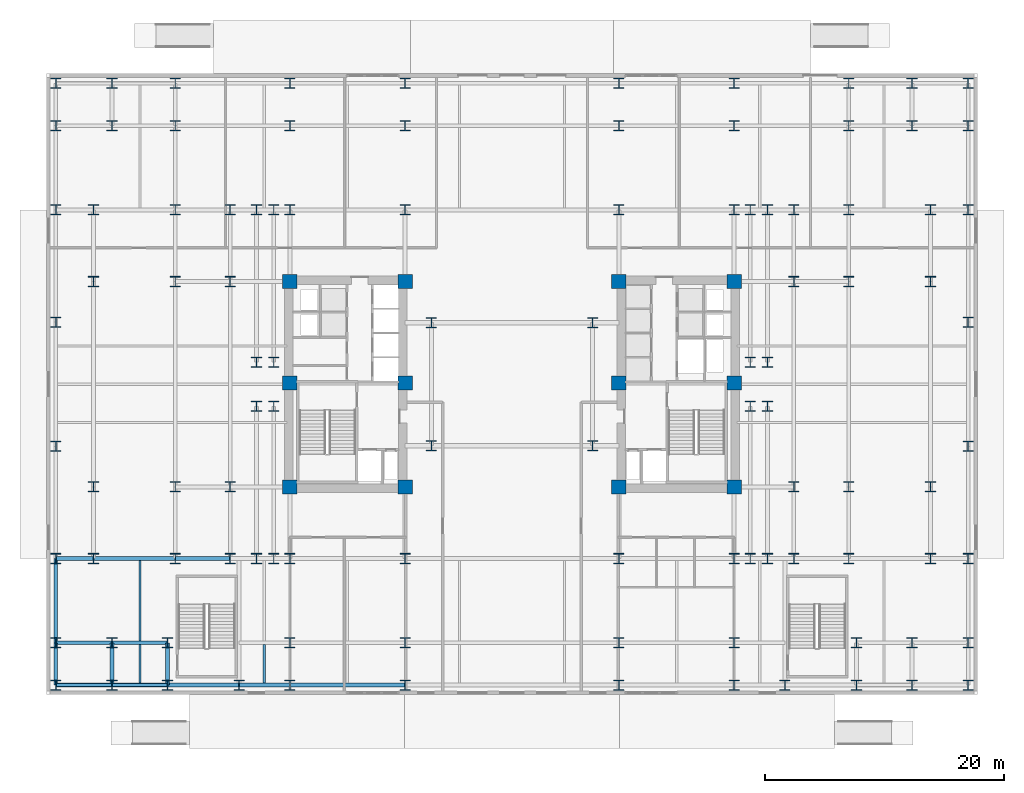
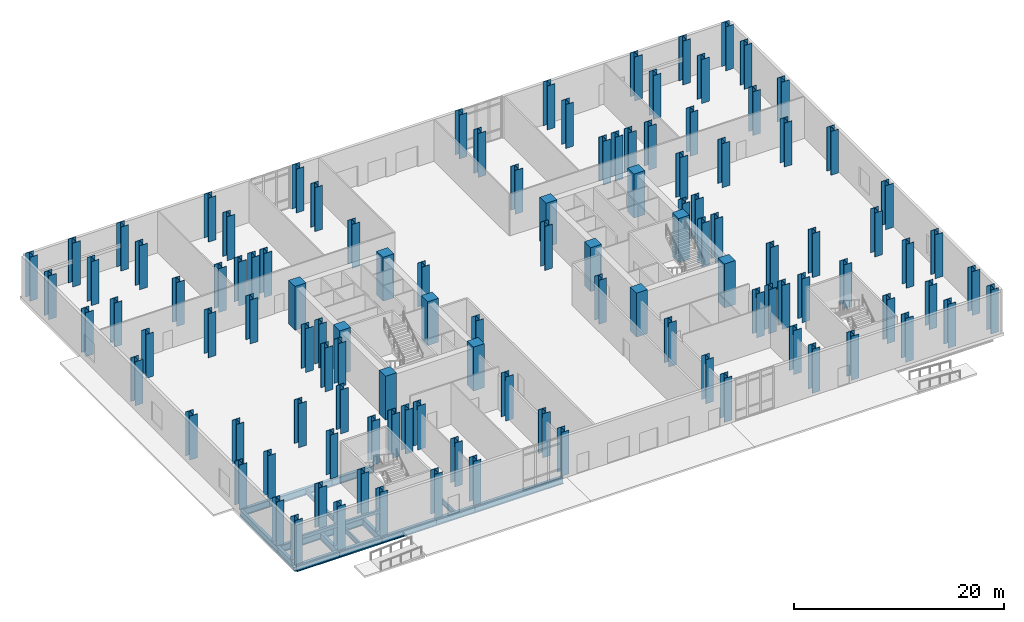
# One storey, part 1 of 21: 114 columns, 19 beams.
"""IFC4 building model written with IfcOpenShell, lengths in metres."""

from ifc_helpers import new_model, si_unit, direction, frame, origin, origin_2d, place, context, subcontext, project, spatial, rectangle, i_section, extrude, material, material_profile, profile_set, type_object, element, save


model = new_model("IFC4")

# Units and contexts
model_context = context("Model", 3, precision=1e-05, world=origin(), true_north=direction((0.0, 1.0)))
body_context = subcontext(model_context, "Body", "Model", "MODEL_VIEW")
ifc_project = project(units=[si_unit("LENGTHUNIT", "METRE"), si_unit("AREAUNIT", "SQUARE_METRE"), si_unit("VOLUMEUNIT", "CUBIC_METRE"), si_unit("PLANEANGLEUNIT", "RADIAN"), si_unit("MASSUNIT", "GRAM", prefix="KILO")], contexts=[model_context])

# Site, building, storey
site_placement = place(None, origin())
site = spatial("IfcSite", under=ifc_project, at=site_placement, CompositionType="ELEMENT")
building_placement = place(site_placement, origin())
building = spatial("IfcBuilding", under=site, at=building_placement, Name="Velakula Bourse", CompositionType="ELEMENT")
storey_placement = place(building_placement, origin())
storey = spatial("IfcBuildingStorey", under=building, at=storey_placement, Name="L00", CompositionType="ELEMENT", Elevation=0.0)

# Columns
ifc_material_1 = material(Name="Concrete M70 (fck 70 MPa)", Category="concrete")
ifc_material_profile_1 = material_profile(ifc_material_1, rectangle(XDim=1.199951171875, YDim=1.199951171875, at=origin_2d()), Name="Concrete M70 (fck 70 MPa)")
ifc_profile_set_1 = profile_set([ifc_material_profile_1], Name="Concrete M70 (fck 70 MPa)")
column_type_1 = type_object("IfcColumnType", Name="COL-RC-1200", PredefinedType="COLUMN", material=ifc_profile_set_1)
for number, where, z_axis, x_axis, name in (
    (1, (-8.949951171875, -8.60009765625, 0.0), (0.0, 0.0, 1.0), (1.0, 0.0, 0.0), "L00 Core Boundary Column 01"),
    (2, (-8.949951171875, 0.10009765625, 0.0), (0.0, 0.0, 1.0), (1.0, 0.0, 0.0), "L00 Core Boundary Column 02"),
    (3, (-8.949951171875, 8.60009765625, 0.0), (0.0, 0.0, 1.0), (1.0, 0.0, 0.0), "L00 Core Boundary Column 03"),
    (4, (-18.60009765625, -8.60009765625, 0.0), (0.0, 0.0, 1.0), (1.0, 0.0, 0.0), "L00 Core Boundary Column 04"),
    (5, (-18.60009765625, 0.10009765625, 0.0), (0.0, 0.0, 1.0), (1.0, 0.0, 0.0), "L00 Core Boundary Column 05"),
    (6, (-18.60009765625, 8.60009765625, 0.0), (0.0, 0.0, 1.0), (1.0, 0.0, 0.0), "L00 Core Boundary Column 06"),
    (7, (8.949951171875, -8.60009765625, 0.0), (0.0, 0.0, 1.0), (1.0, 0.0, 0.0), "L00 Core Boundary Column 07"),
    (8, (8.949951171875, 0.10009765625, 0.0), (0.0, 0.0, 1.0), (1.0, 0.0, 0.0), "L00 Core Boundary Column 08"),
    (9, (8.949951171875, 8.60009765625, 0.0), (0.0, 0.0, 1.0), (1.0, 0.0, 0.0), "L00 Core Boundary Column 09"),
    (10, (18.60009765625, -8.60009765625, 0.0), (0.0, 0.0, 1.0), (1.0, 0.0, 0.0), "L00 Core Boundary Column 10"),
    (11, (18.60009765625, 0.10009765625, 0.0), (0.0, 0.0, 1.0), (1.0, 0.0, 0.0), "L00 Core Boundary Column 11"),
    (12, (18.60009765625, 8.60009765625, 0.0), (0.0, 0.0, 1.0), (1.0, 0.0, 0.0), "L00 Core Boundary Column 12"),
):
    element("IfcColumn", number, at=place(storey_placement, frame(where, z_axis=z_axis, x_axis=x_axis)), inside=storey, type_object=column_type_1, Name=name, PredefinedType="COLUMN", context=body_context, shape_type="SweptSolid", body=[
        extrude(rectangle(XDim=1.199951171875, YDim=1.199951171875, at=origin_2d()), origin(), (0.0, 0.0, 1.0), 5.10009765625),
    ])
ifc_material_2 = material(Name="Steel IS 2062 Grade 450 (E450)", Category="steel")
ifc_material_profile_2 = material_profile(ifc_material_2, i_section(OverallWidth=0.85009765625, OverallDepth=0.85009765625, WebThickness=0.031982421875, FlangeThickness=0.048095703125, at=origin_2d()), Name="Steel IS 2062 Grade 450 (E450)")
ifc_profile_set_2 = profile_set([ifc_material_profile_2], Name="Steel IS 2062 Grade 450 (E450)")
column_type_2 = type_object("IfcColumnType", Name="COL-STL-850", PredefinedType="COLUMN", material=ifc_profile_set_2)
for number, where, z_axis, x_axis, name in (
    (13, (-6.75, -5.14990234375, 0.0), (0.0, 0.0, 1.0), (1.0, 0.0, 0.0), "L00 Central Spine Column 01"),
    (14, (-6.75, 5.14990234375, 0.0), (0.0, 0.0, 1.0), (1.0, 0.0, 0.0), "L00 Central Spine Column 02"),
    (15, (6.75, -5.14990234375, 0.0), (0.0, 0.0, 1.0), (1.0, 0.0, 0.0), "L00 Central Spine Column 03"),
    (16, (6.75, 5.14990234375, 0.0), (0.0, 0.0, 1.0), (1.0, 0.0, 0.0), "L00 Central Spine Column 04"),
    (17, (-21.39990234375, -14.60009765625, 0.0), (0.0, 0.0, 1.0), (1.0, 0.0, 0.0), "L00 Tower Fulcrum Column 01"),
    (18, (-21.39990234375, 14.60009765625, 0.0), (0.0, 0.0, 1.0), (1.0, 0.0, 0.0), "L00 Tower Fulcrum Column 02"),
    (19, (-19.949951171875, -14.60009765625, 0.0), (0.0, 0.0, 1.0), (1.0, 0.0, 0.0), "L00 Tower Fulcrum Column 03"),
    (20, (-19.949951171875, 14.60009765625, 0.0), (0.0, 0.0, 1.0), (1.0, 0.0, 0.0), "L00 Tower Fulcrum Column 04"),
    (21, (-18.60009765625, -14.60009765625, 0.0), (0.0, 0.0, 1.0), (1.0, 0.0, 0.0), "L00 Tower Fulcrum Column 05"),
    (22, (-18.60009765625, 14.60009765625, 0.0), (0.0, 0.0, 1.0), (1.0, 0.0, 0.0), "L00 Tower Fulcrum Column 06"),
    (23, (-8.949951171875, -14.60009765625, 0.0), (0.0, 0.0, 1.0), (1.0, 0.0, 0.0), "L00 Tower Fulcrum Column 07"),
    (24, (-8.949951171875, 14.60009765625, 0.0), (0.0, 0.0, 1.0), (1.0, 0.0, 0.0), "L00 Tower Fulcrum Column 08"),
    (25, (8.949951171875, -14.60009765625, 0.0), (0.0, 0.0, 1.0), (1.0, 0.0, 0.0), "L00 Tower Fulcrum Column 09"),
    (26, (8.949951171875, 14.60009765625, 0.0), (0.0, 0.0, 1.0), (1.0, 0.0, 0.0), "L00 Tower Fulcrum Column 10"),
    (27, (18.60009765625, -14.60009765625, 0.0), (0.0, 0.0, 1.0), (1.0, 0.0, 0.0), "L00 Tower Fulcrum Column 11"),
    (28, (18.60009765625, 14.60009765625, 0.0), (0.0, 0.0, 1.0), (1.0, 0.0, 0.0), "L00 Tower Fulcrum Column 12"),
    (29, (19.949951171875, -14.60009765625, 0.0), (0.0, 0.0, 1.0), (1.0, 0.0, 0.0), "L00 Tower Fulcrum Column 13"),
    (30, (19.949951171875, 14.60009765625, 0.0), (0.0, 0.0, 1.0), (1.0, 0.0, 0.0), "L00 Tower Fulcrum Column 14"),
    (31, (21.39990234375, -14.60009765625, 0.0), (0.0, 0.0, 1.0), (1.0, 0.0, 0.0), "L00 Tower Fulcrum Column 15"),
    (32, (21.39990234375, 14.60009765625, 0.0), (0.0, 0.0, 1.0), (1.0, 0.0, 0.0), "L00 Tower Fulcrum Column 16"),
    (33, (-21.39990234375, -1.85009765625, 0.0), (0.0, 0.0, 1.0), (1.0, 0.0, 0.0), "L00 Tower Fulcrum Column 17"),
    (34, (-21.39990234375, 1.85009765625, 0.0), (0.0, 0.0, 1.0), (1.0, 0.0, 0.0), "L00 Tower Fulcrum Column 18"),
    (35, (-19.949951171875, -1.85009765625, 0.0), (0.0, 0.0, 1.0), (1.0, 0.0, 0.0), "L00 Tower Fulcrum Column 19"),
    (36, (-19.949951171875, 1.85009765625, 0.0), (0.0, 0.0, 1.0), (1.0, 0.0, 0.0), "L00 Tower Fulcrum Column 20"),
    (37, (19.949951171875, -1.85009765625, 0.0), (0.0, 0.0, 1.0), (1.0, 0.0, 0.0), "L00 Tower Fulcrum Column 21"),
    (38, (19.949951171875, 1.85009765625, 0.0), (0.0, 0.0, 1.0), (1.0, 0.0, 0.0), "L00 Tower Fulcrum Column 22"),
    (39, (21.39990234375, -1.85009765625, 0.0), (0.0, 0.0, 1.0), (1.0, 0.0, 0.0), "L00 Tower Fulcrum Column 23"),
    (40, (21.39990234375, 1.85009765625, 0.0), (0.0, 0.0, 1.0), (1.0, 0.0, 0.0), "L00 Tower Fulcrum Column 24"),
    (41, (-23.60009765625, -14.60009765625, 0.0), (0.0, 0.0, 1.0), (1.0, 0.0, 0.0), "L00 Mid-Wing Plumb Column 01"),
    (42, (-23.60009765625, -8.60009765625, 0.0), (0.0, 0.0, 1.0), (1.0, 0.0, 0.0), "L00 Mid-Wing Plumb Column 02"),
    (43, (-23.60009765625, 8.60009765625, 0.0), (0.0, 0.0, 1.0), (1.0, 0.0, 0.0), "L00 Mid-Wing Plumb Column 03"),
    (44, (-23.60009765625, 14.60009765625, 0.0), (0.0, 0.0, 1.0), (1.0, 0.0, 0.0), "L00 Mid-Wing Plumb Column 04"),
    (45, (23.60009765625, -14.60009765625, 0.0), (0.0, 0.0, 1.0), (1.0, 0.0, 0.0), "L00 Mid-Wing Plumb Column 05"),
    (46, (23.60009765625, -8.60009765625, 0.0), (0.0, 0.0, 1.0), (1.0, 0.0, 0.0), "L00 Mid-Wing Plumb Column 06"),
    (47, (23.60009765625, 8.60009765625, 0.0), (0.0, 0.0, 1.0), (1.0, 0.0, 0.0), "L00 Mid-Wing Plumb Column 07"),
    (48, (23.60009765625, 14.60009765625, 0.0), (0.0, 0.0, 1.0), (1.0, 0.0, 0.0), "L00 Mid-Wing Plumb Column 08"),
    (49, (-28.199951171875, -14.60009765625, 0.0), (0.0, 0.0, 1.0), (1.0, 0.0, 0.0), "L00 Lower Wing Column 01"),
    (50, (-28.199951171875, -8.60009765625, 0.0), (0.0, 0.0, 1.0), (1.0, 0.0, 0.0), "L00 Lower Wing Column 02"),
    (51, (-28.199951171875, 8.60009765625, 0.0), (0.0, 0.0, 1.0), (1.0, 0.0, 0.0), "L00 Lower Wing Column 03"),
    (52, (-28.199951171875, 14.60009765625, 0.0), (0.0, 0.0, 1.0), (1.0, 0.0, 0.0), "L00 Lower Wing Column 04"),
    (53, (28.199951171875, -14.60009765625, 0.0), (0.0, 0.0, 1.0), (1.0, 0.0, 0.0), "L00 Lower Wing Column 05"),
    (54, (28.199951171875, -8.60009765625, 0.0), (0.0, 0.0, 1.0), (1.0, 0.0, 0.0), "L00 Lower Wing Column 06"),
    (55, (28.199951171875, 8.60009765625, 0.0), (0.0, 0.0, 1.0), (1.0, 0.0, 0.0), "L00 Lower Wing Column 07"),
    (56, (28.199951171875, 14.60009765625, 0.0), (0.0, 0.0, 1.0), (1.0, 0.0, 0.0), "L00 Lower Wing Column 08"),
    (57, (-35.050048828125, -14.60009765625, 0.0), (0.0, 0.0, 1.0), (1.0, 0.0, 0.0), "L00 Station Podium Grid Column 01"),
    (58, (-35.050048828125, -8.60009765625, 0.0), (0.0, 0.0, 1.0), (1.0, 0.0, 0.0), "L00 Station Podium Grid Column 02"),
    (59, (-35.050048828125, 8.60009765625, 0.0), (0.0, 0.0, 1.0), (1.0, 0.0, 0.0), "L00 Station Podium Grid Column 03"),
    (60, (-35.050048828125, 14.60009765625, 0.0), (0.0, 0.0, 1.0), (1.0, 0.0, 0.0), "L00 Station Podium Grid Column 04"),
    (61, (35.050048828125, -14.60009765625, 0.0), (0.0, 0.0, 1.0), (1.0, 0.0, 0.0), "L00 Station Podium Grid Column 05"),
    (62, (35.050048828125, -8.60009765625, 0.0), (0.0, 0.0, 1.0), (1.0, 0.0, 0.0), "L00 Station Podium Grid Column 06"),
    (63, (35.050048828125, 8.60009765625, 0.0), (0.0, 0.0, 1.0), (1.0, 0.0, 0.0), "L00 Station Podium Grid Column 07"),
    (64, (35.050048828125, 14.60009765625, 0.0), (0.0, 0.0, 1.0), (1.0, 0.0, 0.0), "L00 Station Podium Grid Column 08"),
    (65, (-38.199951171875, -21.64990234375, 0.0), (0.0, 0.0, 1.0), (1.0, 0.0, 0.0), "L00 Station Podium Grid Column 09"),
    (66, (-38.199951171875, 21.64990234375, 0.0), (0.0, 0.0, 1.0), (1.0, 0.0, 0.0), "L00 Station Podium Grid Column 10"),
    (67, (-33.5, -21.64990234375, 0.0), (0.0, 0.0, 1.0), (1.0, 0.0, 0.0), "L00 Station Podium Grid Column 11"),
    (68, (-33.5, 21.64990234375, 0.0), (0.0, 0.0, 1.0), (1.0, 0.0, 0.0), "L00 Station Podium Grid Column 12"),
    (69, (-28.85009765625, -21.64990234375, 0.0), (0.0, 0.0, 1.0), (1.0, 0.0, 0.0), "L00 Station Podium Grid Column 13"),
    (70, (-28.199951171875, 21.64990234375, 0.0), (0.0, 0.0, 1.0), (1.0, 0.0, 0.0), "L00 Station Podium Grid Column 14"),
    (71, (-18.60009765625, -21.64990234375, 0.0), (0.0, 0.0, 1.0), (1.0, 0.0, 0.0), "L00 Station Podium Grid Column 15"),
    (72, (-18.60009765625, 21.64990234375, 0.0), (0.0, 0.0, 1.0), (1.0, 0.0, 0.0), "L00 Station Podium Grid Column 16"),
    (73, (-8.949951171875, -21.64990234375, 0.0), (0.0, 0.0, 1.0), (1.0, 0.0, 0.0), "L00 Station Podium Grid Column 17"),
    (74, (-8.949951171875, 21.64990234375, 0.0), (0.0, 0.0, 1.0), (1.0, 0.0, 0.0), "L00 Station Podium Grid Column 18"),
    (75, (8.949951171875, -21.64990234375, 0.0), (0.0, 0.0, 1.0), (1.0, 0.0, 0.0), "L00 Station Podium Grid Column 19"),
    (76, (8.949951171875, 21.64990234375, 0.0), (0.0, 0.0, 1.0), (1.0, 0.0, 0.0), "L00 Station Podium Grid Column 20"),
    (77, (18.60009765625, -21.64990234375, 0.0), (0.0, 0.0, 1.0), (1.0, 0.0, 0.0), "L00 Station Podium Grid Column 21"),
    (78, (18.60009765625, 21.64990234375, 0.0), (0.0, 0.0, 1.0), (1.0, 0.0, 0.0), "L00 Station Podium Grid Column 22"),
    (79, (28.85009765625, -21.64990234375, 0.0), (0.0, 0.0, 1.0), (1.0, 0.0, 0.0), "L00 Station Podium Grid Column 23"),
    (80, (28.199951171875, 21.64990234375, 0.0), (0.0, 0.0, 1.0), (1.0, 0.0, 0.0), "L00 Station Podium Grid Column 24"),
    (81, (33.5, -21.64990234375, 0.0), (0.0, 0.0, 1.0), (1.0, 0.0, 0.0), "L00 Station Podium Grid Column 25"),
    (82, (33.5, 21.64990234375, 0.0), (0.0, 0.0, 1.0), (1.0, 0.0, 0.0), "L00 Station Podium Grid Column 26"),
    (83, (38.199951171875, -21.64990234375, 0.0), (0.0, 0.0, 1.0), (1.0, 0.0, 0.0), "L00 Station Podium Grid Column 27"),
    (84, (38.199951171875, 21.64990234375, 0.0), (0.0, 0.0, 1.0), (1.0, 0.0, 0.0), "L00 Station Podium Grid Column 28"),
    (85, (-38.199951171875, -25.199951171875, 0.0), (0.0, 0.0, 1.0), (1.0, 0.0, 0.0), "L00 Station Podium Grid Column 29"),
    (86, (-38.199951171875, 25.199951171875, 0.0), (0.0, 0.0, 1.0), (1.0, 0.0, 0.0), "L00 Station Podium Grid Column 30"),
    (87, (-33.5, -25.199951171875, 0.0), (0.0, 0.0, 1.0), (1.0, 0.0, 0.0), "L00 Station Podium Grid Column 31"),
    (88, (-33.5, 25.199951171875, 0.0), (0.0, 0.0, 1.0), (1.0, 0.0, 0.0), "L00 Station Podium Grid Column 32"),
    (89, (-28.85009765625, -25.199951171875, 0.0), (0.0, 0.0, 1.0), (1.0, 0.0, 0.0), "L00 Station Podium Grid Column 33"),
    (90, (-28.199951171875, 25.199951171875, 0.0), (0.0, 0.0, 1.0), (1.0, 0.0, 0.0), "L00 Station Podium Grid Column 34"),
    (91, (-22.85009765625, -25.199951171875, 0.0), (0.0, 0.0, 1.0), (1.0, 0.0, 0.0), "L00 Station Podium Grid Column 35"),
    (92, (22.85009765625, -25.199951171875, 0.0), (0.0, 0.0, 1.0), (1.0, 0.0, 0.0), "L00 Station Podium Grid Column 36"),
    (93, (-18.60009765625, -25.199951171875, 0.0), (0.0, 0.0, 1.0), (1.0, 0.0, 0.0), "L00 Station Podium Grid Column 39"),
    (94, (-18.60009765625, 25.199951171875, 0.0), (0.0, 0.0, 1.0), (1.0, 0.0, 0.0), "L00 Station Podium Grid Column 40"),
    (95, (-8.949951171875, -25.199951171875, 0.0), (0.0, 0.0, 1.0), (1.0, 0.0, 0.0), "L00 Station Podium Grid Column 41"),
    (96, (-8.949951171875, 25.199951171875, 0.0), (0.0, 0.0, 1.0), (1.0, 0.0, 0.0), "L00 Station Podium Grid Column 42"),
    (97, (8.949951171875, -25.199951171875, 0.0), (0.0, 0.0, 1.0), (1.0, 0.0, 0.0), "L00 Station Podium Grid Column 43"),
    (98, (8.949951171875, 25.199951171875, 0.0), (0.0, 0.0, 1.0), (1.0, 0.0, 0.0), "L00 Station Podium Grid Column 44"),
    (99, (18.60009765625, -25.199951171875, 0.0), (0.0, 0.0, 1.0), (1.0, 0.0, 0.0), "L00 Station Podium Grid Column 45"),
    (100, (18.60009765625, 25.199951171875, 0.0), (0.0, 0.0, 1.0), (1.0, 0.0, 0.0), "L00 Station Podium Grid Column 46"),
    (101, (28.85009765625, -25.199951171875, 0.0), (0.0, 0.0, 1.0), (1.0, 0.0, 0.0), "L00 Station Podium Grid Column 47"),
    (102, (28.199951171875, 25.199951171875, 0.0), (0.0, 0.0, 1.0), (1.0, 0.0, 0.0), "L00 Station Podium Grid Column 48"),
    (103, (33.5, -25.199951171875, 0.0), (0.0, 0.0, 1.0), (1.0, 0.0, 0.0), "L00 Station Podium Grid Column 49"),
    (104, (33.5, 25.199951171875, 0.0), (0.0, 0.0, 1.0), (1.0, 0.0, 0.0), "L00 Station Podium Grid Column 50"),
    (105, (38.199951171875, -25.199951171875, 0.0), (0.0, 0.0, 1.0), (1.0, 0.0, 0.0), "L00 Station Podium Grid Column 51"),
    (106, (38.199951171875, 25.199951171875, 0.0), (0.0, 0.0, 1.0), (1.0, 0.0, 0.0), "L00 Station Podium Grid Column 52"),
    (107, (-38.199951171875, -14.60009765625, 0.0), (0.0, 0.0, 1.0), (1.0, 0.0, 0.0), "L00 Station Podium Grid Column 53"),
    (108, (-38.199951171875, -5.199951171875, 0.0), (0.0, 0.0, 1.0), (1.0, 0.0, 0.0), "L00 Station Podium Grid Column 54"),
    (109, (-38.199951171875, 5.199951171875, 0.0), (0.0, 0.0, 1.0), (1.0, 0.0, 0.0), "L00 Station Podium Grid Column 55"),
    (110, (-38.199951171875, 14.60009765625, 0.0), (0.0, 0.0, 1.0), (1.0, 0.0, 0.0), "L00 Station Podium Grid Column 56"),
    (111, (38.199951171875, -14.60009765625, 0.0), (0.0, 0.0, 1.0), (1.0, 0.0, 0.0), "L00 Station Podium Grid Column 57"),
    (112, (38.199951171875, -5.199951171875, 0.0), (0.0, 0.0, 1.0), (1.0, 0.0, 0.0), "L00 Station Podium Grid Column 58"),
    (113, (38.199951171875, 5.199951171875, 0.0), (0.0, 0.0, 1.0), (1.0, 0.0, 0.0), "L00 Station Podium Grid Column 59"),
    (114, (38.199951171875, 14.60009765625, 0.0), (0.0, 0.0, 1.0), (1.0, 0.0, 0.0), "L00 Station Podium Grid Column 60"),
):
    element("IfcColumn", number, at=place(storey_placement, frame(where, z_axis=z_axis, x_axis=x_axis)), inside=storey, type_object=column_type_2, Name=name, PredefinedType="COLUMN", context=body_context, shape_type="SweptSolid", body=[
        extrude(i_section(OverallWidth=0.85009765625, OverallDepth=0.85009765625, WebThickness=0.031982421875, FlangeThickness=0.048095703125, at=origin_2d()), origin(), (0.0, 0.0, 1.0), 5.10009765625),
    ])

# Beams
ifc_material_3 = material(Name="Steel IS 2062 Grade 350 (E350)", Category="steel")
ifc_material_profile_3 = material_profile(ifc_material_3, i_section(OverallWidth=0.320068359375, OverallDepth=0.800048828125, WebThickness=0.01806640625, FlangeThickness=0.028076171875, at=origin_2d()), Name="Steel IS 2062 Grade 350 (E350)")
ifc_profile_set_3 = profile_set([ifc_material_profile_3], Name="Steel IS 2062 Grade 350 (E350)")
beam_type_1 = type_object("IfcBeamType", Name="BM-POD-800", PredefinedType="BEAM", material=ifc_profile_set_3)
beam_1_placement = place(storey_placement, frame((-28.199951171875, -14.60009765625, -0.75), z_axis=(1.0, 0.0, 0.0), x_axis=(0.0, 1.0, 0.0)))
element("IfcBeam", 115, at=beam_1_placement, inside=storey, type_object=beam_type_1, Name="L00 Fulcrum Grid Girder WNG-WS1", PredefinedType="BEAM", context=body_context, shape_type="SweptSolid", body=[
    extrude(i_section(OverallWidth=0.320068359375, OverallDepth=0.800048828125, WebThickness=0.01806640625, FlangeThickness=0.028076171875, at=origin_2d()), origin(), (0.0, 0.0, 1.0), 4.599853515625),
])
beam_2_placement = place(storey_placement, frame((-38.199951171875, -25.199951171875, -0.75), z_axis=(1.0, 0.0, 0.0), x_axis=(0.0, 1.0, 0.0)))
element("IfcBeam", 116, at=beam_2_placement, inside=storey, type_object=beam_type_1, Name="L00 Podium E-W Girder 01", PredefinedType="BEAM", context=body_context, shape_type="SweptSolid", body=[
    extrude(i_section(OverallWidth=0.320068359375, OverallDepth=0.800048828125, WebThickness=0.01806640625, FlangeThickness=0.028076171875, at=origin_2d()), origin(), (0.0, 0.0, 1.0), 4.699951171875),
])
beam_3_placement = place(storey_placement, frame((-33.5, -25.199951171875, -0.75), z_axis=(1.0, 0.0, 0.0), x_axis=(0.0, 1.0, 0.0)))
element("IfcBeam", 117, at=beam_3_placement, inside=storey, type_object=beam_type_1, Name="L00 Podium E-W Girder 02", PredefinedType="BEAM", context=body_context, shape_type="SweptSolid", body=[
    extrude(i_section(OverallWidth=0.320068359375, OverallDepth=0.800048828125, WebThickness=0.01806640625, FlangeThickness=0.028076171875, at=origin_2d()), origin(), (0.0, 0.0, 1.0), 4.64990234375),
])
beam_4_placement = place(storey_placement, frame((-28.85009765625, -25.199951171875, -0.75), z_axis=(1.0, 0.0, 0.0), x_axis=(0.0, 1.0, 0.0)))
element("IfcBeam", 118, at=beam_4_placement, inside=storey, type_object=beam_type_1, Name="L00 Podium E-W Girder 03", PredefinedType="BEAM", context=body_context, shape_type="SweptSolid", body=[
    extrude(i_section(OverallWidth=0.320068359375, OverallDepth=0.800048828125, WebThickness=0.01806640625, FlangeThickness=0.028076171875, at=origin_2d()), origin(), (0.0, 0.0, 1.0), 6.0),
])
beam_5_placement = place(storey_placement, frame((-22.85009765625, -25.199951171875, -0.75), z_axis=(1.0, 0.0, 0.0), x_axis=(0.0, 1.0, 0.0)))
element("IfcBeam", 119, at=beam_5_placement, inside=storey, type_object=beam_type_1, Name="L00 Podium E-W Girder 04", PredefinedType="BEAM", context=body_context, shape_type="SweptSolid", body=[
    extrude(i_section(OverallWidth=0.320068359375, OverallDepth=0.800048828125, WebThickness=0.01806640625, FlangeThickness=0.028076171875, at=origin_2d()), origin(), (0.0, 0.0, 1.0), 4.25),
])
beam_6_placement = place(storey_placement, frame((-18.60009765625, -25.199951171875, -0.75), z_axis=(1.0, 0.0, 0.0), x_axis=(0.0, 1.0, 0.0)))
element("IfcBeam", 120, at=beam_6_placement, inside=storey, type_object=beam_type_1, Name="L00 Podium E-W Girder 05", PredefinedType="BEAM", context=body_context, shape_type="SweptSolid", body=[
    extrude(i_section(OverallWidth=0.320068359375, OverallDepth=0.800048828125, WebThickness=0.01806640625, FlangeThickness=0.028076171875, at=origin_2d()), origin(), (0.0, 0.0, 1.0), 9.650146484375),
])
beam_7_placement = place(storey_placement, frame((-38.199951171875, -21.64990234375, -0.75), z_axis=(1.0, 0.0, 0.0), x_axis=(0.0, 1.0, 0.0)))
element("IfcBeam", 121, at=beam_7_placement, inside=storey, type_object=beam_type_1, Name="L00 Podium E-W Girder 12", PredefinedType="BEAM", context=body_context, shape_type="SweptSolid", body=[
    extrude(i_section(OverallWidth=0.320068359375, OverallDepth=0.800048828125, WebThickness=0.01806640625, FlangeThickness=0.028076171875, at=origin_2d()), origin(), (0.0, 0.0, 1.0), 4.699951171875),
])
beam_8_placement = place(storey_placement, frame((-33.5, -21.64990234375, -0.75), z_axis=(1.0, 0.0, 0.0), x_axis=(0.0, 1.0, 0.0)))
element("IfcBeam", 122, at=beam_8_placement, inside=storey, type_object=beam_type_1, Name="L00 Podium E-W Girder 13", PredefinedType="BEAM", context=body_context, shape_type="SweptSolid", body=[
    extrude(i_section(OverallWidth=0.320068359375, OverallDepth=0.800048828125, WebThickness=0.01806640625, FlangeThickness=0.028076171875, at=origin_2d()), origin(), (0.0, 0.0, 1.0), 4.64990234375),
])
beam_9_placement = place(storey_placement, frame((-38.199951171875, -14.60009765625, -0.75), z_axis=(1.0, 0.0, 0.0), x_axis=(0.0, 1.0, 0.0)))
element("IfcBeam", 123, at=beam_9_placement, inside=storey, type_object=beam_type_1, Name="L00 Podium E-W Girder 21", PredefinedType="BEAM", context=body_context, shape_type="SweptSolid", body=[
    extrude(i_section(OverallWidth=0.320068359375, OverallDepth=0.800048828125, WebThickness=0.01806640625, FlangeThickness=0.028076171875, at=origin_2d()), origin(), (0.0, 0.0, 1.0), 3.14990234375),
])
beam_10_placement = place(storey_placement, frame((-35.050048828125, -14.60009765625, -0.75), z_axis=(1.0, 0.0, 0.0), x_axis=(0.0, 1.0, 0.0)))
element("IfcBeam", 124, at=beam_10_placement, inside=storey, type_object=beam_type_1, Name="L00 Podium E-W Girder 22", PredefinedType="BEAM", context=body_context, shape_type="SweptSolid", body=[
    extrude(i_section(OverallWidth=0.320068359375, OverallDepth=0.800048828125, WebThickness=0.01806640625, FlangeThickness=0.028076171875, at=origin_2d()), origin(), (0.0, 0.0, 1.0), 6.85009765625),
])
beam_11_placement = place(storey_placement, frame((-38.199951171875, -25.199951171875, -0.75), z_axis=(0.0, 1.0, 0.0), x_axis=(-1.0, 0.0, 0.0)))
element("IfcBeam", 125, at=beam_11_placement, inside=storey, type_object=beam_type_1, Name="L00 Podium N-S Girder 65", PredefinedType="BEAM", context=body_context, shape_type="SweptSolid", body=[
    extrude(i_section(OverallWidth=0.320068359375, OverallDepth=0.800048828125, WebThickness=0.01806640625, FlangeThickness=0.028076171875, at=origin_2d()), origin(), (0.0, 0.0, 1.0), 3.550048828125),
])
beam_12_placement = place(storey_placement, frame((-38.199951171875, -21.64990234375, -0.75), z_axis=(0.0, 1.0, 0.0), x_axis=(-1.0, 0.0, 0.0)))
element("IfcBeam", 126, at=beam_12_placement, inside=storey, type_object=beam_type_1, Name="L00 Podium N-S Girder 66", PredefinedType="BEAM", context=body_context, shape_type="SweptSolid", body=[
    extrude(i_section(OverallWidth=0.320068359375, OverallDepth=0.800048828125, WebThickness=0.01806640625, FlangeThickness=0.028076171875, at=origin_2d()), origin(), (0.0, 0.0, 1.0), 7.0498046875),
])
for number, where, z_axis, x_axis, name in (
    (127, (-33.5, -25.199951171875, -0.75), (0.0, 1.0, 0.0), (-1.0, 0.0, 0.0), "L00 Podium N-S Girder 75"),
    (128, (-28.85009765625, -25.199951171875, -0.75), (0.0, 1.0, 0.0), (-1.0, 0.0, 0.0), "L00 Podium N-S Girder 76"),
):
    element("IfcBeam", number, at=place(storey_placement, frame(where, z_axis=z_axis, x_axis=x_axis)), inside=storey, type_object=beam_type_1, Name=name, PredefinedType="BEAM", context=body_context, shape_type="SweptSolid", body=[
        extrude(i_section(OverallWidth=0.320068359375, OverallDepth=0.800048828125, WebThickness=0.01806640625, FlangeThickness=0.028076171875, at=origin_2d()), origin(), (0.0, 0.0, 1.0), 3.550048828125),
    ])
ifc_material_profile_4 = material_profile(ifc_material_3, i_section(OverallWidth=0.18994140625, OverallDepth=0.550048828125, WebThickness=0.01123046875, FlangeThickness=0.019287109375, at=origin_2d()), Name="Steel IS 2062 Grade 350 (E350)")
ifc_profile_set_4 = profile_set([ifc_material_profile_4], Name="Steel IS 2062 Grade 350 (E350)")
beam_type_2 = type_object("IfcBeamType", Name="JST-POD-550", PredefinedType="JOIST", material=ifc_profile_set_4)
beam_13_placement = place(storey_placement, frame((-31.14990234375, -25.0400390625, -0.625), z_axis=(0.0, 1.0, 0.0), x_axis=(-1.0, 0.0, 0.0)))
element("IfcBeam", 129, at=beam_13_placement, inside=storey, type_object=beam_type_2, Name="L00 Station Podium Floor Joist 01", PredefinedType="JOIST", context=body_context, shape_type="SweptSolid", body=[
    extrude(i_section(OverallWidth=0.18994140625, OverallDepth=0.550048828125, WebThickness=0.01123046875, FlangeThickness=0.019287109375, at=origin_2d()), origin(), (0.0, 0.0, 1.0), 3.22998046875),
])
beam_14_placement = place(storey_placement, frame((-31.14990234375, -21.489990234375, -0.625), z_axis=(0.0, 1.0, 0.0), x_axis=(-1.0, 0.0, 0.0)))
element("IfcBeam", 130, at=beam_14_placement, inside=storey, type_object=beam_type_2, Name="L00 Station Podium Floor Joist 02", PredefinedType="JOIST", context=body_context, shape_type="SweptSolid", body=[
    extrude(i_section(OverallWidth=0.18994140625, OverallDepth=0.550048828125, WebThickness=0.01123046875, FlangeThickness=0.019287109375, at=origin_2d()), origin(), (0.0, 0.0, 1.0), 6.72998046875),
])
beam_15_placement = place(storey_placement, frame((-20.75, -25.0400390625, -0.625), z_axis=(0.0, 1.0, 0.0), x_axis=(-1.0, 0.0, 0.0)))
element("IfcBeam", 131, at=beam_15_placement, inside=storey, type_object=beam_type_2, Name="L00 Station Podium Floor Joist 05", PredefinedType="JOIST", context=body_context, shape_type="SweptSolid", body=[
    extrude(i_section(OverallWidth=0.18994140625, OverallDepth=0.550048828125, WebThickness=0.01123046875, FlangeThickness=0.019287109375, at=origin_2d()), origin(), (0.0, 0.0, 1.0), 3.22998046875),
])
ifc_material_4 = material(Name="Precast concrete M45 (fck 45 MPa)", Category="concrete")
ifc_material_profile_5 = material_profile(ifc_material_4, rectangle(XDim=0.25, YDim=0.35009765625, at=origin_2d()), Name="Precast concrete M45 (fck 45 MPa)")
ifc_profile_set_5 = profile_set([ifc_material_profile_5], Name="Precast concrete M45 (fck 45 MPa)")
beam_type_3 = type_object("IfcBeamType", Name="LIN-PC-350", PredefinedType="LINTEL", material=ifc_profile_set_5)
beam_16_placement = place(storey_placement, frame((-38.199951171875, -25.199951171875, 2.64990234375), z_axis=(1.0, 0.0, 0.0), x_axis=(0.0, 1.0, 0.0)))
element("IfcBeam", 132, at=beam_16_placement, inside=storey, type_object=beam_type_3, Name="L00 Station Masonry Portal Precast Lintel S1", PredefinedType="LINTEL", context=body_context, shape_type="SweptSolid", body=[
    extrude(rectangle(XDim=0.25, YDim=0.35009765625, at=origin_2d()), origin(), (0.0, 0.0, 1.0), 4.699951171875),
])
beam_17_placement = place(storey_placement, frame((-33.5, -25.199951171875, 2.64990234375), z_axis=(1.0, 0.0, 0.0), x_axis=(0.0, 1.0, 0.0)))
element("IfcBeam", 133, at=beam_17_placement, inside=storey, type_object=beam_type_3, Name="L00 Station Masonry Portal Precast Lintel S2", PredefinedType="LINTEL", context=body_context, shape_type="SweptSolid", body=[
    extrude(rectangle(XDim=0.25, YDim=0.35009765625, at=origin_2d()), origin(), (0.0, 0.0, 1.0), 4.64990234375),
])

save(model, "model.ifc")
